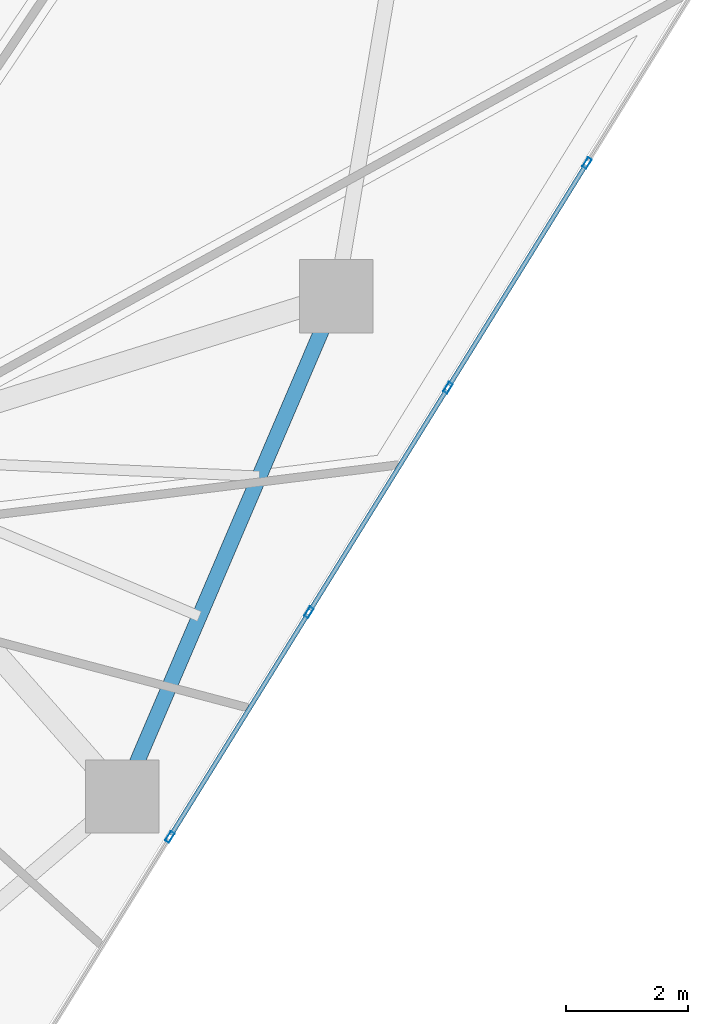
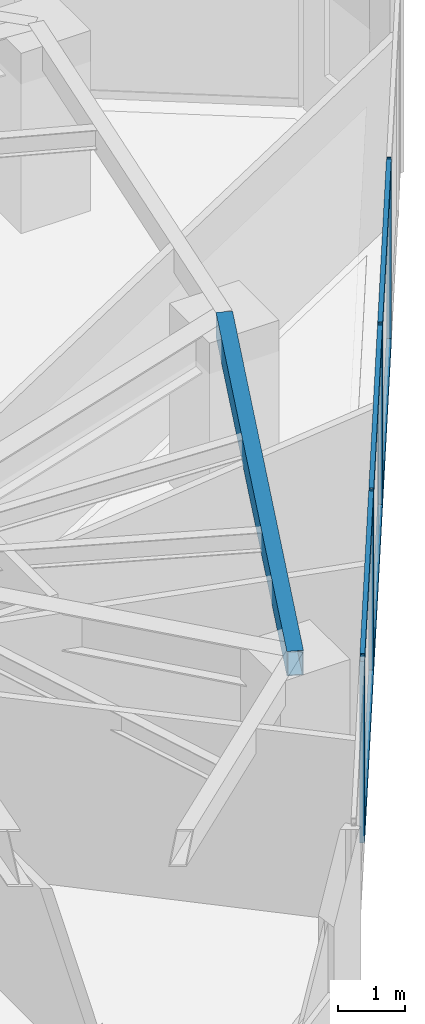
# One storey, part 10 of 20: 10 members, 1 beam, 1 element without a shape of its own.
"""IFC4 building model written with IfcOpenShell, lengths in metres."""

from ifc_helpers import new_model, si_unit, direction, frame, origin, origin_2d, place, context, subcontext, project, spatial, hollow_rectangle, extrude, source, transform, mapped, material, layer, layer_set, material_profile, profile_set, type_object, type_shapes, element, aggregate, save


model = new_model("IFC4")

# Units and contexts
model_context = context("Model", 3, precision=1e-05, world=origin(), true_north=direction((0.0, 1.0)))
body_context = subcontext(model_context, "Body", "Model", "MODEL_VIEW")
ifc_project = project(units=[si_unit("LENGTHUNIT", "METRE"), si_unit("AREAUNIT", "SQUARE_METRE"), si_unit("VOLUMEUNIT", "CUBIC_METRE"), si_unit("PLANEANGLEUNIT", "RADIAN"), si_unit("MASSUNIT", "GRAM", prefix="KILO")], contexts=[model_context])

# Site, building, storey
site_placement = place(None, origin())
site = spatial("IfcSite", under=ifc_project, at=site_placement, CompositionType="ELEMENT")
building_placement = place(site_placement, origin())
building = spatial("IfcBuilding", under=site, at=building_placement, Name="Talar Marvaseh", CompositionType="ELEMENT")
storey_placement = place(building_placement, frame((0.0, 0.0, 132.60009765625)))
storey = spatial("IfcBuildingStorey", under=building, at=storey_placement, Name="L34", CompositionType="ELEMENT", Elevation=132.60009765625)

# Beam
ifc_material_1 = material(Name="Steel S355", Category="steel")
ifc_material_profile_1 = material_profile(ifc_material_1, hollow_rectangle(XDim=0.25, YDim=0.449951171875, WallThickness=0.01611328125, at=origin_2d()), Name="RHS450x250x16")
ifc_profile_set_1 = profile_set([ifc_material_profile_1], Name="Steel S355")
beam_type = type_object("IfcBeamType", Name="Zone 2 Perimeter Spandrel Beam RHS450x250x16", PredefinedType="SPANDREL", material=ifc_profile_set_1)
beam_placement = place(storey_placement, frame((41.708984375, 28.1279296875, 3.0849609375), z_axis=(-0.393369955619, -0.919380268451, 0.0), x_axis=(0.919380268451, -0.393369955619, 0.0)))
element("IfcBeam", 1, at=beam_placement, inside=storey, type_object=beam_type, Name="L34 Zone 2 Perimeter Spandrel Beam RHS450x250x16", PredefinedType="SPANDREL", context=body_context, shape_type="SweptSolid", body=[
    extrude(hollow_rectangle(XDim=0.25, YDim=0.449951171875, WallThickness=0.01611328125, at=origin_2d()), origin(), (0.0, 0.0, 1.0), 8.905029296875),
])

# Curtain wall, members
ifc_material_2 = material(Name="Architectural Aluminium", Category="aluminium")
ifc_layer = layer(ifc_material_2, 0.199951171875)
ifc_layer_set = layer_set([ifc_layer], Name="Architectural Aluminium")
curtain_wall_type = type_object("IfcCurtainWallType", Name="Unitised Acoustic Library Curtain Wall Z2", PredefinedType="NOTDEFINED", material=ifc_layer_set)
curtain_wall_placement = place(storey_placement, origin())
curtain_wall = element("IfcCurtainWall", 2, at=curtain_wall_placement, inside=storey, type_object=curtain_wall_type, Name="L34 Unitised Acoustic Library Curtain Wall Z2", PredefinedType="NOTDEFINED")
ifc_material_profile_2 = material_profile(ifc_material_2, hollow_rectangle(XDim=0.074951171875, YDim=0.179931640625, WallThickness=0.0048828125, at=origin_2d()), Name="RHS180x75x5")
ifc_profile_set_2 = profile_set([ifc_material_profile_2], Name="Architectural Aluminium")
member_type_1 = type_object("IfcMemberType", Name="Unitised Curtain Wall Transom RHS180x75x5", PredefinedType="USERDEFINED", material=ifc_profile_set_2)
shared_shape_1 = source(origin(), body_context, "Body", "SweptSolid", [
    extrude(hollow_rectangle(XDim=0.074951171875, YDim=0.179931640625, WallThickness=0.0048828125, at=origin_2d()), origin(), (0.0, 0.0, 1.0), 4.24853515625),
])
member_1_placement = place(storey_placement, frame((45.79052734375, 30.275390625, 0.037353515625), z_axis=(-0.526311092151, -0.850292087626, 0.0), x_axis=(0.850292087626, -0.526311092151, 0.0)))
member_1 = element("IfcMember", 3, at=member_1_placement, type_object=member_type_1, Name="CW-Z2 transom 2.1", ObjectType="TRANSOM", PredefinedType="USERDEFINED", context=body_context, shape_type="MappedRepresentation", body=[
    mapped(shared_shape_1, transform((0.0, 0.0, 0.0), x_axis=(1.0, 0.0, 0.0), y_axis=(0.0, 1.0, 0.0), z_axis=(0.0, 0.0, 1.0), scale=1.0)),
])
member_2_placement = place(storey_placement, frame((45.79052734375, 30.275390625, 3.2724609375), z_axis=(-0.526311092151, -0.850292087626, 0.0), x_axis=(0.850292087626, -0.526311092151, 0.0)))
member_2 = element("IfcMember", 4, at=member_2_placement, type_object=member_type_1, Name="CW-Z2 transom 2.2", ObjectType="TRANSOM", PredefinedType="USERDEFINED", context=body_context, shape_type="MappedRepresentation", body=[
    mapped(shared_shape_1, transform((0.0, 0.0, 0.0), x_axis=(1.0, 0.0, 0.0), y_axis=(0.0, 1.0, 0.0), z_axis=(0.0, 0.0, 1.0), scale=1.0)),
])
member_3_placement = place(storey_placement, frame((41.2392578125, 22.923095703125, 0.037353515625), z_axis=(-0.526311092151, -0.850292087626, 0.0), x_axis=(0.850292087626, -0.526311092151, 0.0)))
member_3 = element("IfcMember", 5, at=member_3_placement, type_object=member_type_1, Name="CW-Z2 transom 4.1", ObjectType="TRANSOM", PredefinedType="USERDEFINED", context=body_context, shape_type="MappedRepresentation", body=[
    mapped(shared_shape_1, transform((0.0, 0.0, 0.0), x_axis=(1.0, 0.0, 0.0), y_axis=(0.0, 1.0, 0.0), z_axis=(0.0, 0.0, 1.0), scale=1.0)),
])
member_4_placement = place(storey_placement, frame((41.2392578125, 22.923095703125, 3.2724609375), z_axis=(-0.526311092151, -0.850292087626, 0.0), x_axis=(0.850292087626, -0.526311092151, 0.0)))
member_4 = element("IfcMember", 6, at=member_4_placement, type_object=member_type_1, Name="CW-Z2 transom 4.2", ObjectType="TRANSOM", PredefinedType="USERDEFINED", context=body_context, shape_type="MappedRepresentation", body=[
    mapped(shared_shape_1, transform((0.0, 0.0, 0.0), x_axis=(1.0, 0.0, 0.0), y_axis=(0.0, 1.0, 0.0), z_axis=(0.0, 0.0, 1.0), scale=1.0)),
])
shared_shape_2 = source(origin(), body_context, "Body", "SweptSolid", [
    extrude(hollow_rectangle(XDim=0.074951171875, YDim=0.179931640625, WallThickness=0.0048828125, at=origin_2d()), origin(), (0.0, 0.0, 1.0), 4.248291015625),
])
type_shapes(member_type_1, [shared_shape_1, shared_shape_2])
member_5_placement = place(storey_placement, frame((43.514892578125, 26.59912109375, 0.037353515625), z_axis=(-0.526336809268, -0.850276168788, 0.0), x_axis=(0.850276168788, -0.526336809268, 0.0)))
member_5 = element("IfcMember", 7, at=member_5_placement, type_object=member_type_1, Name="CW-Z2 transom 3.1", ObjectType="TRANSOM", PredefinedType="USERDEFINED", context=body_context, shape_type="MappedRepresentation", body=[
    mapped(shared_shape_2, transform((0.0, 0.0, 0.0), x_axis=(1.0, 0.0, 0.0), y_axis=(0.0, 1.0, 0.0), z_axis=(0.0, 0.0, 1.0), scale=1.0)),
])
member_6_placement = place(storey_placement, frame((43.514892578125, 26.59912109375, 3.2724609375), z_axis=(-0.526336809268, -0.850276168788, 0.0), x_axis=(0.850276168788, -0.526336809268, 0.0)))
member_6 = element("IfcMember", 8, at=member_6_placement, type_object=member_type_1, Name="CW-Z2 transom 3.2", ObjectType="TRANSOM", PredefinedType="USERDEFINED", context=body_context, shape_type="MappedRepresentation", body=[
    mapped(shared_shape_2, transform((0.0, 0.0, 0.0), x_axis=(1.0, 0.0, 0.0), y_axis=(0.0, 1.0, 0.0), z_axis=(0.0, 0.0, 1.0), scale=1.0)),
])
ifc_material_profile_3 = material_profile(ifc_material_2, hollow_rectangle(XDim=0.074951171875, YDim=0.179931640625, WallThickness=0.0048828125, at=origin_2d()), Name="RHS180x75x5")
ifc_profile_set_3 = profile_set([ifc_material_profile_3], Name="Architectural Aluminium")
member_type_2 = type_object("IfcMemberType", Name="Unitised Curtain Wall Standard Mullion RHS180x75x5", PredefinedType="MULLION", material=ifc_profile_set_3)
shared_shape_3 = source(origin(), body_context, "Body", "SweptSolid", [
    extrude(hollow_rectangle(XDim=0.074951171875, YDim=0.179931640625, WallThickness=0.0048828125, at=origin_2d()), origin(), (0.0, 0.0, 1.0), 3.309814453125),
])
type_shapes(member_type_2, [shared_shape_3])
member_7_placement = place(storey_placement, frame((45.810302734375, 30.30712890625, 0.0), z_axis=(0.0, 0.0, 1.0), x_axis=(0.850272441792, -0.526342830035, 0.0)))
member_7 = element("IfcMember", 9, at=member_7_placement, type_object=member_type_2, Name="CW-Z2 mullion 2", PredefinedType="MULLION", context=body_context, shape_type="MappedRepresentation", body=[
    mapped(shared_shape_3, transform((0.0, 0.0, 0.0), x_axis=(1.0, 0.0, 0.0), y_axis=(0.0, 1.0, 0.0), z_axis=(0.0, 0.0, 1.0), scale=1.0)),
])
member_8_placement = place(storey_placement, frame((43.53466796875, 26.631103515625, 0.0), z_axis=(0.0, 0.0, 1.0), x_axis=(0.850272441792, -0.526342830035, 0.0)))
member_8 = element("IfcMember", 10, at=member_8_placement, type_object=member_type_2, Name="CW-Z2 mullion 3", PredefinedType="MULLION", context=body_context, shape_type="MappedRepresentation", body=[
    mapped(shared_shape_3, transform((0.0, 0.0, 0.0), x_axis=(1.0, 0.0, 0.0), y_axis=(0.0, 1.0, 0.0), z_axis=(0.0, 0.0, 1.0), scale=1.0)),
])
member_9_placement = place(storey_placement, frame((41.259033203125, 22.954833984375, 0.0), z_axis=(0.0, 0.0, 1.0), x_axis=(0.850272441792, -0.526342830035, 0.0)))
member_9 = element("IfcMember", 11, at=member_9_placement, type_object=member_type_2, Name="CW-Z2 mullion 4", PredefinedType="MULLION", context=body_context, shape_type="MappedRepresentation", body=[
    mapped(shared_shape_3, transform((0.0, 0.0, 0.0), x_axis=(1.0, 0.0, 0.0), y_axis=(0.0, 1.0, 0.0), z_axis=(0.0, 0.0, 1.0), scale=1.0)),
])
member_10_placement = place(storey_placement, frame((38.9833984375, 19.278564453125, 0.0), z_axis=(0.0, 0.0, 1.0), x_axis=(0.850272441792, -0.526342830035, 0.0)))
member_10 = element("IfcMember", 12, at=member_10_placement, type_object=member_type_2, Name="CW-Z2 mullion 5", PredefinedType="MULLION", context=body_context, shape_type="MappedRepresentation", body=[
    mapped(shared_shape_3, transform((0.0, 0.0, 0.0), x_axis=(1.0, 0.0, 0.0), y_axis=(0.0, 1.0, 0.0), z_axis=(0.0, 0.0, 1.0), scale=1.0)),
])
aggregate(curtain_wall, [member_7, member_8, member_9, member_10, member_1, member_2, member_5, member_6, member_3, member_4])

save(model, "model.ifc")
